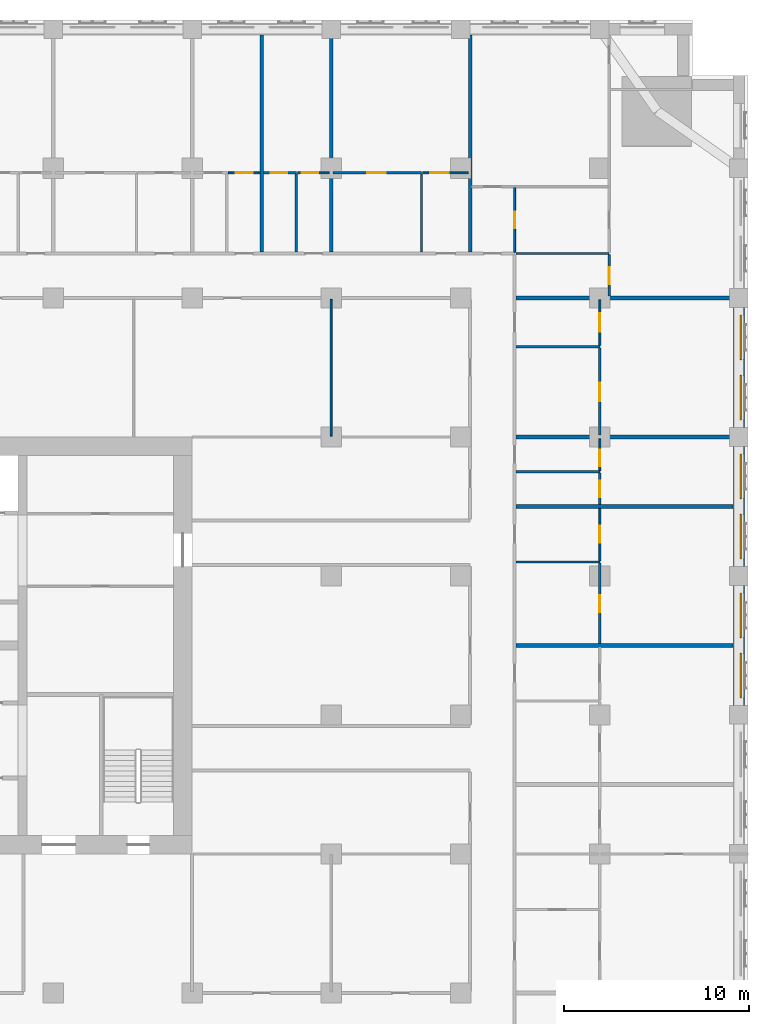
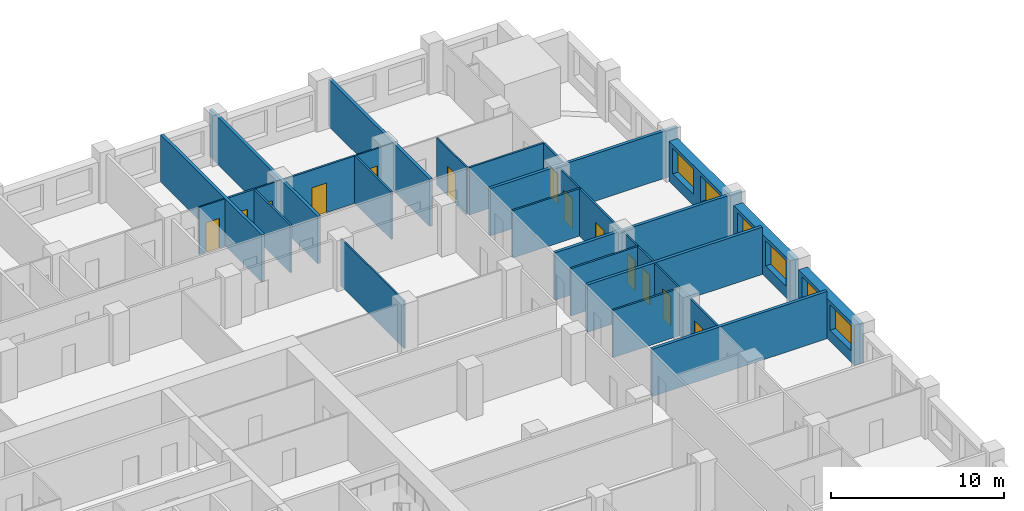
# One storey, part 10 of 14: 30 walls, 13 doors, 6 windows, 19 openings.
"""IFC4 building model written with IfcOpenShell, lengths in metres."""

from ifc_helpers import new_model, si_unit, direction, frame, frame_2d, origin, place, context, subcontext, project, spatial, rectangle, extrude, material, layer, layer_set, type_object, element, fill, save


model = new_model("IFC4")

# Units and contexts
model_context = context("Model", 3, precision=1e-05, world=origin(), true_north=direction((0.0, 1.0)))
body_context = subcontext(model_context, "Body", "Model", "MODEL_VIEW")
ifc_project = project(units=[si_unit("LENGTHUNIT", "METRE"), si_unit("AREAUNIT", "SQUARE_METRE"), si_unit("VOLUMEUNIT", "CUBIC_METRE"), si_unit("PLANEANGLEUNIT", "RADIAN"), si_unit("MASSUNIT", "GRAM", prefix="KILO")], contexts=[model_context])

# Site, building, storey
site_placement = place(None, origin())
site = spatial("IfcSite", under=ifc_project, at=site_placement, CompositionType="ELEMENT")
building_placement = place(site_placement, origin())
building = spatial("IfcBuilding", under=site, at=building_placement, Name="Tamorin Gate", CompositionType="ELEMENT")
storey_placement = place(building_placement, frame((0.0, 0.0, 79.10009765625)))
storey = spatial("IfcBuildingStorey", under=building, at=storey_placement, Name="L18", CompositionType="ELEMENT", Elevation=79.10009765625)

# Wall, openings, windows
ifc_material_1 = material(Name="Precast concrete C40/50", Category="concrete")
ifc_layer_1 = layer(ifc_material_1, 0.60009765625)
ifc_layer_set_1 = layer_set([ifc_layer_1], Name="Precast concrete C40/50")
wall_type_1 = type_object("IfcWallType", Name="Board-marked concrete facade panel 600", PredefinedType="SOLIDWALL", material=ifc_layer_set_1)
wall_1_placement = place(storey_placement, frame((89.5, 68.0, 0.0), z_axis=(0.0, 0.0, 1.0), x_axis=(0.0, 1.0, 0.0)))
wall_1 = element("IfcWall", 1, at=wall_1_placement, inside=storey, type_object=wall_type_1, Name="Facade panel", PredefinedType="SOLIDWALL", context=body_context, shape_type="SweptSolid", body=[
    extrude(rectangle(XDim=6.5, YDim=0.60009765625, at=frame_2d((3.25, 0.0))), origin(), (0.0, 0.0, 1.0), 2.849853515625),
])
opening_1_placement = place(wall_1_placement, frame((0.425048828125, 0.0, 0.800048828125)))
opening_1 = element("IfcOpeningElement", 2, at=opening_1_placement, cuts=wall_1, Name="Opening WN1", PredefinedType="OPENING", context=body_context, shape_type="SweptSolid", body=[
    extrude(rectangle(XDim=2.39990234375, YDim=1.800048828125, at=frame_2d((1.199951171875, 0.89990234375))), frame((0.0, 0.31005859375, 0.0), z_axis=(0.0, -1.0, 0.0), x_axis=(1.0, 0.0, 0.0)), (0.0, 0.0, 1.0), 0.6201171875),
])
opening_2_placement = place(wall_1_placement, frame((3.675048828125, 0.0, 0.800048828125)))
opening_2 = element("IfcOpeningElement", 3, at=opening_2_placement, cuts=wall_1, Name="Opening WN1", PredefinedType="OPENING", context=body_context, shape_type="SweptSolid", body=[
    extrude(rectangle(XDim=2.39990234375, YDim=1.800048828125, at=frame_2d((1.199951171875, 0.89990234375))), frame((0.0, 0.31005859375, 0.0), z_axis=(0.0, -1.0, 0.0), x_axis=(1.0, 0.0, 0.0)), (0.0, 0.0, 1.0), 0.6201171875),
])
ifc_material_2 = material(Name="Clear glass in aluminium frame", Category="aluminium")
window_type = type_object("IfcWindowType", Name="Deep-set window 2400x1800", PartitioningType="SINGLE_PANEL", PredefinedType="WINDOW", material=ifc_material_2)
window_1_placement = place(opening_1_placement, origin())
window_1 = element("IfcWindow", 4, at=window_1_placement, inside=storey, type_object=window_type, Name="Deep-set window", OverallHeight=1.800048828125, OverallWidth=2.39990234375, PartitioningType="SINGLE_PANEL", PredefinedType="WINDOW", context=body_context, shape_type="SweptSolid", body=[
    extrude(rectangle(XDim=2.39990234375, YDim=1.800048828125, at=frame_2d((1.199951171875, 0.89990234375))), frame((0.0, -0.070068359375, 0.0), z_axis=(0.0, -1.0, 0.0), x_axis=(1.0, 0.0, 0.0)), (0.0, 0.0, 1.0), 0.06005859375),
])
fill(opening_1, window_1)
window_2_placement = place(opening_2_placement, origin())
window_2 = element("IfcWindow", 5, at=window_2_placement, inside=storey, type_object=window_type, Name="Deep-set window", OverallHeight=1.800048828125, OverallWidth=2.39990234375, PartitioningType="SINGLE_PANEL", PredefinedType="WINDOW", context=body_context, shape_type="SweptSolid", body=[
    extrude(rectangle(XDim=2.39990234375, YDim=1.800048828125, at=frame_2d((1.199951171875, 0.89990234375))), frame((0.0, -0.070068359375, 0.0), z_axis=(0.0, -1.0, 0.0), x_axis=(1.0, 0.0, 0.0)), (0.0, 0.0, 1.0), 0.06005859375),
])
fill(opening_2, window_2)

wall_2_placement = place(storey_placement, frame((89.5, 75.5, 0.0), z_axis=(0.0, 0.0, 1.0), x_axis=(0.0, 1.0, 0.0)))
wall_2 = element("IfcWall", 6, at=wall_2_placement, inside=storey, type_object=wall_type_1, Name="Facade panel", PredefinedType="SOLIDWALL", context=body_context, shape_type="SweptSolid", body=[
    extrude(rectangle(XDim=6.5, YDim=0.60009765625, at=frame_2d((3.25, 0.0))), origin(), (0.0, 0.0, 1.0), 2.849853515625),
])
opening_3_placement = place(wall_2_placement, frame((0.425048828125, 0.0, 0.800048828125)))
opening_3 = element("IfcOpeningElement", 7, at=opening_3_placement, cuts=wall_2, Name="Opening WN1", PredefinedType="OPENING", context=body_context, shape_type="SweptSolid", body=[
    extrude(rectangle(XDim=2.39990234375, YDim=1.800048828125, at=frame_2d((1.199951171875, 0.89990234375))), frame((0.0, 0.31005859375, 0.0), z_axis=(0.0, -1.0, 0.0), x_axis=(1.0, 0.0, 0.0)), (0.0, 0.0, 1.0), 0.6201171875),
])
opening_4_placement = place(wall_2_placement, frame((3.675048828125, 0.0, 0.800048828125)))
opening_4 = element("IfcOpeningElement", 8, at=opening_4_placement, cuts=wall_2, Name="Opening WN1", PredefinedType="OPENING", context=body_context, shape_type="SweptSolid", body=[
    extrude(rectangle(XDim=2.39990234375, YDim=1.800048828125, at=frame_2d((1.199951171875, 0.89990234375))), frame((0.0, 0.31005859375, 0.0), z_axis=(0.0, -1.0, 0.0), x_axis=(1.0, 0.0, 0.0)), (0.0, 0.0, 1.0), 0.6201171875),
])
window_3_placement = place(opening_3_placement, origin())
window_3 = element("IfcWindow", 9, at=window_3_placement, inside=storey, type_object=window_type, Name="Deep-set window", OverallHeight=1.800048828125, OverallWidth=2.39990234375, PartitioningType="SINGLE_PANEL", PredefinedType="WINDOW", context=body_context, shape_type="SweptSolid", body=[
    extrude(rectangle(XDim=2.39990234375, YDim=1.800048828125, at=frame_2d((1.199951171875, 0.89990234375))), frame((0.0, -0.070068359375, 0.0), z_axis=(0.0, -1.0, 0.0), x_axis=(1.0, 0.0, 0.0)), (0.0, 0.0, 1.0), 0.06005859375),
])
fill(opening_3, window_3)
window_4_placement = place(opening_4_placement, origin())
window_4 = element("IfcWindow", 10, at=window_4_placement, inside=storey, type_object=window_type, Name="Deep-set window", OverallHeight=1.800048828125, OverallWidth=2.39990234375, PartitioningType="SINGLE_PANEL", PredefinedType="WINDOW", context=body_context, shape_type="SweptSolid", body=[
    extrude(rectangle(XDim=2.39990234375, YDim=1.800048828125, at=frame_2d((1.199951171875, 0.89990234375))), frame((0.0, -0.070068359375, 0.0), z_axis=(0.0, -1.0, 0.0), x_axis=(1.0, 0.0, 0.0)), (0.0, 0.0, 1.0), 0.06005859375),
])
fill(opening_4, window_4)

wall_3_placement = place(storey_placement, frame((89.5, 83.0, 0.0), z_axis=(0.0, 0.0, 1.0), x_axis=(0.0, 1.0, 0.0)))
wall_3 = element("IfcWall", 11, at=wall_3_placement, inside=storey, type_object=wall_type_1, Name="Facade panel", PredefinedType="SOLIDWALL", context=body_context, shape_type="SweptSolid", body=[
    extrude(rectangle(XDim=6.5, YDim=0.60009765625, at=frame_2d((3.25, 0.0))), origin(), (0.0, 0.0, 1.0), 2.849853515625),
])
opening_5_placement = place(wall_3_placement, frame((0.425048828125, 0.0, 0.800048828125)))
opening_5 = element("IfcOpeningElement", 12, at=opening_5_placement, cuts=wall_3, Name="Opening WN1", PredefinedType="OPENING", context=body_context, shape_type="SweptSolid", body=[
    extrude(rectangle(XDim=2.39990234375, YDim=1.800048828125, at=frame_2d((1.199951171875, 0.89990234375))), frame((0.0, 0.31005859375, 0.0), z_axis=(0.0, -1.0, 0.0), x_axis=(1.0, 0.0, 0.0)), (0.0, 0.0, 1.0), 0.6201171875),
])
opening_6_placement = place(wall_3_placement, frame((3.675048828125, 0.0, 0.800048828125)))
opening_6 = element("IfcOpeningElement", 13, at=opening_6_placement, cuts=wall_3, Name="Opening WN1", PredefinedType="OPENING", context=body_context, shape_type="SweptSolid", body=[
    extrude(rectangle(XDim=2.39990234375, YDim=1.800048828125, at=frame_2d((1.199951171875, 0.89990234375))), frame((0.0, 0.31005859375, 0.0), z_axis=(0.0, -1.0, 0.0), x_axis=(1.0, 0.0, 0.0)), (0.0, 0.0, 1.0), 0.6201171875),
])
window_5_placement = place(opening_5_placement, origin())
window_5 = element("IfcWindow", 14, at=window_5_placement, inside=storey, type_object=window_type, Name="Deep-set window", OverallHeight=1.800048828125, OverallWidth=2.39990234375, PartitioningType="SINGLE_PANEL", PredefinedType="WINDOW", context=body_context, shape_type="SweptSolid", body=[
    extrude(rectangle(XDim=2.39990234375, YDim=1.800048828125, at=frame_2d((1.199951171875, 0.89990234375))), frame((0.0, -0.070068359375, 0.0), z_axis=(0.0, -1.0, 0.0), x_axis=(1.0, 0.0, 0.0)), (0.0, 0.0, 1.0), 0.06005859375),
])
fill(opening_5, window_5)
window_6_placement = place(opening_6_placement, origin())
window_6 = element("IfcWindow", 15, at=window_6_placement, inside=storey, type_object=window_type, Name="Deep-set window", OverallHeight=1.800048828125, OverallWidth=2.39990234375, PartitioningType="SINGLE_PANEL", PredefinedType="WINDOW", context=body_context, shape_type="SweptSolid", body=[
    extrude(rectangle(XDim=2.39990234375, YDim=1.800048828125, at=frame_2d((1.199951171875, 0.89990234375))), frame((0.0, -0.070068359375, 0.0), z_axis=(0.0, -1.0, 0.0), x_axis=(1.0, 0.0, 0.0)), (0.0, 0.0, 1.0), 0.06005859375),
])
fill(opening_6, window_6)

# Walls
ifc_material_3 = material(Name="Gypsum board partition")
ifc_layer_2 = layer(ifc_material_3, 0.199951171875)
ifc_layer_set_2 = layer_set([ifc_layer_2], Name="Demising wall 200")
wall_type_2 = type_object("IfcWallType", Name="Demising wall 200", PredefinedType="PARTITIONING", material=ifc_layer_set_2)
for number, where, z_axis, x_axis, name in (
    (16, (77.47509765625, 71.25, 0.0), (0.0, 0.0, 1.0), (1.0, 0.0, 0.0), "Demising wall 200"),
    (17, (77.47509765625, 78.75, 0.0), (0.0, 0.0, 1.0), (1.0, 0.0, 0.0), "Demising wall 200"),
):
    element("IfcWall", number, at=place(storey_placement, frame(where, z_axis=z_axis, x_axis=x_axis)), inside=storey, type_object=wall_type_2, Name=name, PredefinedType="PARTITIONING", context=body_context, shape_type="SweptSolid", body=[
        extrude(rectangle(XDim=11.71484375, YDim=0.199951171875, at=frame_2d((5.857421875, 0.0))), origin(), (0.0, 0.0, 1.0), 3.349853515625),
    ])
for number, where, z_axis, x_axis, name in (
    (18, (77.47509765625, 82.5, 0.0), (0.0, 0.0, 1.0), (1.0, 0.0, 0.0), "Demising wall 200"),
    (19, (77.47509765625, 90.0, 0.0), (0.0, 0.0, 1.0), (1.0, 0.0, 0.0), "Demising wall 200"),
):
    element("IfcWall", number, at=place(storey_placement, frame(where, z_axis=z_axis, x_axis=x_axis)), inside=storey, type_object=wall_type_2, Name=name, PredefinedType="PARTITIONING", context=body_context, shape_type="SweptSolid", body=[
        extrude(rectangle(XDim=12.52490234375, YDim=0.199951171875, at=frame_2d((6.262451171875, 0.0))), origin(), (0.0, 0.0, 1.0), 3.349853515625),
    ])
wall_4_placement = place(storey_placement, frame((63.75, 92.47509765625, 0.0), z_axis=(0.0, 0.0, 1.0), x_axis=(0.0, 1.0, 0.0)))
element("IfcWall", 20, at=wall_4_placement, inside=storey, type_object=wall_type_2, Name="Demising wall 200", PredefinedType="PARTITIONING", context=body_context, shape_type="SweptSolid", body=[
    extrude(rectangle(XDim=11.71484375, YDim=0.199951171875, at=frame_2d((5.857421875, 0.0))), origin(), (0.0, 0.0, 1.0), 3.349853515625),
])
wall_5_placement = place(storey_placement, frame((67.5, 92.47509765625, 0.0), z_axis=(0.0, 0.0, 1.0), x_axis=(0.0, 1.0, 0.0)))
element("IfcWall", 21, at=wall_5_placement, inside=storey, type_object=wall_type_2, Name="Demising wall 200", PredefinedType="PARTITIONING", context=body_context, shape_type="SweptSolid", body=[
    extrude(rectangle(XDim=12.52490234375, YDim=0.199951171875, at=frame_2d((6.262451171875, 0.0))), origin(), (0.0, 0.0, 1.0), 3.349853515625),
])
wall_6_placement = place(storey_placement, frame((75.0, 92.47509765625, 0.0), z_axis=(0.0, 0.0, 1.0), x_axis=(0.0, 1.0, 0.0)))
element("IfcWall", 22, at=wall_6_placement, inside=storey, type_object=wall_type_2, Name="Demising wall 200", PredefinedType="PARTITIONING", context=body_context, shape_type="SweptSolid", body=[
    extrude(rectangle(XDim=11.71484375, YDim=0.199951171875, at=frame_2d((5.857421875, 0.0))), origin(), (0.0, 0.0, 1.0), 3.349853515625),
])

# Wall, opening, door
ifc_layer_3 = layer(ifc_material_3, 0.10009765625)
ifc_layer_set_3 = layer_set([ifc_layer_3], Name="Room partition 100")
wall_type_3 = type_object("IfcWallType", Name="Room partition 100", PredefinedType="PARTITIONING", material=ifc_layer_set_3)
wall_7_placement = place(storey_placement, frame((61.9375, 96.75, 0.0), z_axis=(0.0, 0.0, 1.0), x_axis=(1.0, 0.0, 0.0)))
wall_7 = element("IfcWall", 23, at=wall_7_placement, inside=storey, type_object=wall_type_3, Name="Room partition 100", PredefinedType="PARTITIONING", context=body_context, shape_type="SweptSolid", body=[
    extrude(rectangle(XDim=1.71240234375, YDim=0.10009765625, at=frame_2d((0.856201171875, 0.0))), origin(), (0.0, 0.0, 1.0), 3.349853515625),
])
opening_7_placement = place(wall_7_placement, frame((0.425048828125, 0.0, 0.0)))
opening_7 = element("IfcOpeningElement", 24, at=opening_7_placement, cuts=wall_7, Name="Opening DH5036", PredefinedType="OPENING", context=body_context, shape_type="SweptSolid", body=[
    extrude(rectangle(XDim=0.89990234375, YDim=2.10009765625, at=frame_2d((0.449951171875, 1.050048828125))), frame((0.0, 0.06005859375, 0.0), z_axis=(0.0, -1.0, 0.0), x_axis=(1.0, 0.0, 0.0)), (0.0, 0.0, 1.0), 0.1201171875),
])
ifc_material_4 = material(Name="Timber door leaf", Category="wood")
door_type_1 = type_object("IfcDoorType", Name="Door 900 x 2100", OperationType="NOTDEFINED", PredefinedType="DOOR", material=ifc_material_4)
door_1_placement = place(opening_7_placement, origin())
door_1 = element("IfcDoor", 25, at=door_1_placement, inside=storey, type_object=door_type_1, Name="Door DH5036", OperationType="SINGLE_SWING_RIGHT", OverallHeight=2.10009765625, OverallWidth=0.89990234375, PredefinedType="DOOR", context=body_context, shape_type="SweptSolid", body=[
    extrude(rectangle(XDim=0.89990234375, YDim=2.10009765625, at=frame_2d((0.449951171875, 1.050048828125))), frame((0.0, 0.02490234375, 0.0), z_axis=(0.0, -1.0, 0.0), x_axis=(1.0, 0.0, 0.0)), (0.0, 0.0, 1.0), 0.050048828125),
])
fill(opening_7, door_1)

wall_8_placement = place(storey_placement, frame((65.6875, 96.75, 0.0), z_axis=(0.0, 0.0, 1.0), x_axis=(1.0, 0.0, 0.0)))
wall_8 = element("IfcWall", 26, at=wall_8_placement, inside=storey, type_object=wall_type_3, Name="Room partition 100", PredefinedType="PARTITIONING", context=body_context, shape_type="SweptSolid", body=[
    extrude(rectangle(XDim=1.71240234375, YDim=0.10009765625, at=frame_2d((0.856201171875, 0.0))), origin(), (0.0, 0.0, 1.0), 3.349853515625),
])
opening_8_placement = place(wall_8_placement, frame((0.22509765625, 0.0, 0.0)))
opening_8 = element("IfcOpeningElement", 27, at=opening_8_placement, cuts=wall_8, Name="Opening DH5039", PredefinedType="OPENING", context=body_context, shape_type="SweptSolid", body=[
    extrude(rectangle(XDim=0.89990234375, YDim=2.10009765625, at=frame_2d((0.449951171875, 1.050048828125))), frame((0.0, 0.06005859375, 0.0), z_axis=(0.0, -1.0, 0.0), x_axis=(1.0, 0.0, 0.0)), (0.0, 0.0, 1.0), 0.1201171875),
])
door_2_placement = place(opening_8_placement, origin())
door_2 = element("IfcDoor", 28, at=door_2_placement, inside=storey, type_object=door_type_1, Name="Door DH5039", OperationType="SINGLE_SWING_RIGHT", OverallHeight=2.10009765625, OverallWidth=0.89990234375, PredefinedType="DOOR", context=body_context, shape_type="SweptSolid", body=[
    extrude(rectangle(XDim=0.89990234375, YDim=2.10009765625, at=frame_2d((0.449951171875, 1.050048828125))), frame((0.0, 0.02490234375, 0.0), z_axis=(0.0, -1.0, 0.0), x_axis=(1.0, 0.0, 0.0)), (0.0, 0.0, 1.0), 0.050048828125),
])
fill(opening_8, door_2)

wall_9_placement = place(storey_placement, frame((72.4375, 96.75, 0.0), z_axis=(0.0, 0.0, 1.0), x_axis=(1.0, 0.0, 0.0)))
wall_9 = element("IfcWall", 29, at=wall_9_placement, inside=storey, type_object=wall_type_3, Name="Room partition 100", PredefinedType="PARTITIONING", context=body_context, shape_type="SweptSolid", body=[
    extrude(rectangle(XDim=2.46240234375, YDim=0.10009765625, at=frame_2d((1.231201171875, 0.0))), origin(), (0.0, 0.0, 1.0), 3.349853515625),
])
opening_9_placement = place(wall_9_placement, frame((0.39990234375, 0.0, 0.0)))
opening_9 = element("IfcOpeningElement", 30, at=opening_9_placement, cuts=wall_9, Name="Opening DH5042", PredefinedType="OPENING", context=body_context, shape_type="SweptSolid", body=[
    extrude(rectangle(XDim=1.0, YDim=2.10009765625, at=frame_2d((0.5, 1.050048828125))), frame((0.0, 0.06005859375, 0.0), z_axis=(0.0, -1.0, 0.0), x_axis=(1.0, 0.0, 0.0)), (0.0, 0.0, 1.0), 0.1201171875),
])
door_type_2 = type_object("IfcDoorType", Name="Door 1000 x 2100", OperationType="NOTDEFINED", PredefinedType="DOOR", material=ifc_material_4)
door_3_placement = place(opening_9_placement, origin())
door_3 = element("IfcDoor", 31, at=door_3_placement, inside=storey, type_object=door_type_2, Name="Door DH5042", OperationType="SINGLE_SWING_RIGHT", OverallHeight=2.10009765625, OverallWidth=1.0, PredefinedType="DOOR", context=body_context, shape_type="SweptSolid", body=[
    extrude(rectangle(XDim=1.0, YDim=2.10009765625, at=frame_2d((0.5, 1.050048828125))), frame((0.0, 0.02490234375, 0.0), z_axis=(0.0, -1.0, 0.0), x_axis=(1.0, 0.0, 0.0)), (0.0, 0.0, 1.0), 0.050048828125),
])
fill(opening_9, door_3)

# Wall
wall_10_placement = place(storey_placement, frame((67.5, 82.550048828125, 0.0), z_axis=(0.0, 0.0, 1.0), x_axis=(0.0, 1.0, 0.0)))
element("IfcWall", 32, at=wall_10_placement, inside=storey, type_object=wall_type_3, Name="Room partition 100", PredefinedType="PARTITIONING", context=body_context, shape_type="SweptSolid", body=[
    extrude(rectangle(XDim=7.375, YDim=0.10009765625, at=frame_2d((3.6875, 0.0))), origin(), (0.0, 0.0, 1.0), 3.349853515625),
])

# Wall, opening, door
wall_11_placement = place(storey_placement, frame((77.39990234375, 92.47509765625, 0.0), z_axis=(0.0, 0.0, 1.0), x_axis=(0.0, 1.0, 0.0)))
wall_11 = element("IfcWall", 33, at=wall_11_placement, inside=storey, type_object=wall_type_3, Name="Room partition 100", PredefinedType="PARTITIONING", context=body_context, shape_type="SweptSolid", body=[
    extrude(rectangle(XDim=3.474853515625, YDim=0.10009765625, at=frame_2d((1.7373046875, 0.0))), origin(), (0.0, 0.0, 1.0), 3.349853515625),
])
opening_10_placement = place(wall_11_placement, frame((1.27490234375, 0.0, 0.0)))
opening_10 = element("IfcOpeningElement", 34, at=opening_10_placement, cuts=wall_11, Name="Opening DH5068", PredefinedType="OPENING", context=body_context, shape_type="SweptSolid", body=[
    extrude(rectangle(XDim=0.89990234375, YDim=2.10009765625, at=frame_2d((0.449951171875, 1.050048828125))), frame((0.0, 0.06005859375, 0.0), z_axis=(0.0, -1.0, 0.0), x_axis=(1.0, 0.0, 0.0)), (0.0, 0.0, 1.0), 0.1201171875),
])
door_4_placement = place(opening_10_placement, origin())
door_4 = element("IfcDoor", 35, at=door_4_placement, inside=storey, type_object=door_type_1, Name="Door DH5068", OperationType="SINGLE_SWING_RIGHT", OverallHeight=2.10009765625, OverallWidth=0.89990234375, PredefinedType="DOOR", context=body_context, shape_type="SweptSolid", body=[
    extrude(rectangle(XDim=0.89990234375, YDim=2.10009765625, at=frame_2d((0.449951171875, 1.050048828125))), frame((0.0, 0.02490234375, 0.0), z_axis=(0.0, -1.0, 0.0), x_axis=(1.0, 0.0, 0.0)), (0.0, 0.0, 1.0), 0.050048828125),
])
fill(opening_10, door_4)

wall_12_placement = place(storey_placement, frame((82.0, 75.8125, 0.0), z_axis=(0.0, 0.0, 1.0), x_axis=(0.0, 1.0, 0.0)))
wall_12 = element("IfcWall", 36, at=wall_12_placement, inside=storey, type_object=wall_type_3, Name="Room partition 100", PredefinedType="PARTITIONING", context=body_context, shape_type="SweptSolid", body=[
    extrude(rectangle(XDim=2.83740234375, YDim=0.10009765625, at=frame_2d((1.418701171875, 0.0))), origin(), (0.0, 0.0, 1.0), 3.349853515625),
])
opening_11_placement = place(wall_12_placement, frame((0.987548828125, 0.0, 0.0)))
opening_11 = element("IfcOpeningElement", 37, at=opening_11_placement, cuts=wall_12, Name="Opening DH5053", PredefinedType="OPENING", context=body_context, shape_type="SweptSolid", body=[
    extrude(rectangle(XDim=0.89990234375, YDim=2.10009765625, at=frame_2d((0.449951171875, 1.050048828125))), frame((0.0, 0.06005859375, 0.0), z_axis=(0.0, -1.0, 0.0), x_axis=(1.0, 0.0, 0.0)), (0.0, 0.0, 1.0), 0.1201171875),
])
door_5_placement = place(opening_11_placement, origin())
door_5 = element("IfcDoor", 38, at=door_5_placement, inside=storey, type_object=door_type_1, Name="Door DH5053", OperationType="SINGLE_SWING_LEFT", OverallHeight=2.10009765625, OverallWidth=0.89990234375, PredefinedType="DOOR", context=body_context, shape_type="SweptSolid", body=[
    extrude(rectangle(XDim=0.89990234375, YDim=2.10009765625, at=frame_2d((0.449951171875, 1.050048828125))), frame((0.0, 0.02490234375, 0.0), z_axis=(0.0, -1.0, 0.0), x_axis=(1.0, 0.0, 0.0)), (0.0, 0.0, 1.0), 0.050048828125),
])
fill(opening_11, door_5)

wall_13_placement = place(storey_placement, frame((82.0, 80.6875, 0.0), z_axis=(0.0, 0.0, 1.0), x_axis=(0.0, 1.0, 0.0)))
wall_13 = element("IfcWall", 39, at=wall_13_placement, inside=storey, type_object=wall_type_3, Name="Room partition 100", PredefinedType="PARTITIONING", context=body_context, shape_type="SweptSolid", body=[
    extrude(rectangle(XDim=1.71240234375, YDim=0.10009765625, at=frame_2d((0.856201171875, 0.0))), origin(), (0.0, 0.0, 1.0), 3.349853515625),
])
opening_12_placement = place(wall_13_placement, frame((0.22509765625, 0.0, 0.0)))
opening_12 = element("IfcOpeningElement", 40, at=opening_12_placement, cuts=wall_13, Name="Opening DH5056", PredefinedType="OPENING", context=body_context, shape_type="SweptSolid", body=[
    extrude(rectangle(XDim=0.89990234375, YDim=2.10009765625, at=frame_2d((0.449951171875, 1.050048828125))), frame((0.0, 0.06005859375, 0.0), z_axis=(0.0, -1.0, 0.0), x_axis=(1.0, 0.0, 0.0)), (0.0, 0.0, 1.0), 0.1201171875),
])
door_6_placement = place(opening_12_placement, origin())
door_6 = element("IfcDoor", 41, at=door_6_placement, inside=storey, type_object=door_type_1, Name="Door DH5056", OperationType="SINGLE_SWING_LEFT", OverallHeight=2.10009765625, OverallWidth=0.89990234375, PredefinedType="DOOR", context=body_context, shape_type="SweptSolid", body=[
    extrude(rectangle(XDim=0.89990234375, YDim=2.10009765625, at=frame_2d((0.449951171875, 1.050048828125))), frame((0.0, 0.02490234375, 0.0), z_axis=(0.0, -1.0, 0.0), x_axis=(1.0, 0.0, 0.0)), (0.0, 0.0, 1.0), 0.050048828125),
])
fill(opening_12, door_6)

wall_14_placement = place(storey_placement, frame((82.0, 87.4375, 0.0), z_axis=(0.0, 0.0, 1.0), x_axis=(0.0, 1.0, 0.0)))
wall_14 = element("IfcWall", 42, at=wall_14_placement, inside=storey, type_object=wall_type_3, Name="Room partition 100", PredefinedType="PARTITIONING", context=body_context, shape_type="SweptSolid", body=[
    extrude(rectangle(XDim=2.46240234375, YDim=0.10009765625, at=frame_2d((1.231201171875, 0.0))), origin(), (0.0, 0.0, 1.0), 3.349853515625),
])
opening_13_placement = place(wall_14_placement, frame((0.75, 0.0, 0.0)))
opening_13 = element("IfcOpeningElement", 43, at=opening_13_placement, cuts=wall_14, Name="Opening DH5059", PredefinedType="OPENING", context=body_context, shape_type="SweptSolid", body=[
    extrude(rectangle(XDim=1.0, YDim=2.10009765625, at=frame_2d((0.5, 1.050048828125))), frame((0.0, 0.06005859375, 0.0), z_axis=(0.0, -1.0, 0.0), x_axis=(1.0, 0.0, 0.0)), (0.0, 0.0, 1.0), 0.1201171875),
])
door_7_placement = place(opening_13_placement, origin())
door_7 = element("IfcDoor", 44, at=door_7_placement, inside=storey, type_object=door_type_2, Name="Door DH5059", OperationType="SINGLE_SWING_LEFT", OverallHeight=2.10009765625, OverallWidth=1.0, PredefinedType="DOOR", context=body_context, shape_type="SweptSolid", body=[
    extrude(rectangle(XDim=1.0, YDim=2.10009765625, at=frame_2d((0.5, 1.050048828125))), frame((0.0, 0.02490234375, 0.0), z_axis=(0.0, -1.0, 0.0), x_axis=(1.0, 0.0, 0.0)), (0.0, 0.0, 1.0), 0.050048828125),
])
fill(opening_13, door_7)

# Walls
ifc_layer_4 = layer(ifc_material_3, 0.125)
ifc_layer_set_4 = layer_set([ifc_layer_4], Name="Wet wall 125")
wall_type_4 = type_object("IfcWallType", Name="Wet wall 125", PredefinedType="PARTITIONING", material=ifc_layer_set_4)
for number, where, z_axis, x_axis, name in (
    (45, (77.47509765625, 75.75, 0.0), (0.0, 0.0, 1.0), (1.0, 0.0, 0.0), "Wet wall 125"),
    (46, (77.47509765625, 80.625, 0.0), (0.0, 0.0, 1.0), (1.0, 0.0, 0.0), "Wet wall 125"),
    (47, (77.47509765625, 87.375, 0.0), (0.0, 0.0, 1.0), (1.0, 0.0, 0.0), "Wet wall 125"),
):
    element("IfcWall", number, at=place(storey_placement, frame(where, z_axis=z_axis, x_axis=x_axis)), inside=storey, type_object=wall_type_4, Name=name, PredefinedType="PARTITIONING", context=body_context, shape_type="SweptSolid", body=[
        extrude(rectangle(XDim=4.52490234375, YDim=0.125, at=frame_2d((2.262451171875, 0.0))), origin(), (0.0, 0.0, 1.0), 3.349853515625),
    ])
wall_15_placement = place(storey_placement, frame((77.47509765625, 92.39990234375, 0.0), z_axis=(0.0, 0.0, 1.0), x_axis=(1.0, 0.0, 0.0)))
element("IfcWall", 48, at=wall_15_placement, inside=storey, type_object=wall_type_4, Name="Wet wall 125", PredefinedType="PARTITIONING", context=body_context, shape_type="SweptSolid", body=[
    extrude(rectangle(XDim=5.02490234375, YDim=0.125, at=frame_2d((2.512451171875, 0.0))), origin(), (0.0, 0.0, 1.0), 3.349853515625),
])

# Wall, opening, door
wall_16_placement = place(storey_placement, frame((63.85009765625, 96.75, 0.0), z_axis=(0.0, 0.0, 1.0), x_axis=(1.0, 0.0, 0.0)))
wall_16 = element("IfcWall", 49, at=wall_16_placement, inside=storey, type_object=wall_type_4, Name="Wet wall 125", PredefinedType="PARTITIONING", context=body_context, shape_type="SweptSolid", body=[
    extrude(rectangle(XDim=1.77490234375, YDim=0.125, at=frame_2d((0.887451171875, 0.0))), origin(), (0.0, 0.0, 1.0), 3.349853515625),
])
opening_14_placement = place(wall_16_placement, frame((0.387451171875, 0.0, 0.0)))
opening_14 = element("IfcOpeningElement", 50, at=opening_14_placement, cuts=wall_16, Name="Opening DH5037", PredefinedType="OPENING", context=body_context, shape_type="SweptSolid", body=[
    extrude(rectangle(XDim=0.89990234375, YDim=2.10009765625, at=frame_2d((0.449951171875, 1.050048828125))), frame((0.0, 0.072509765625, 0.0), z_axis=(0.0, -1.0, 0.0), x_axis=(1.0, 0.0, 0.0)), (0.0, 0.0, 1.0), 0.14501953125),
])
door_8_placement = place(opening_14_placement, origin())
door_8 = element("IfcDoor", 51, at=door_8_placement, inside=storey, type_object=door_type_1, Name="Door DH5037", OperationType="SINGLE_SWING_RIGHT", OverallHeight=2.10009765625, OverallWidth=0.89990234375, PredefinedType="DOOR", context=body_context, shape_type="SweptSolid", body=[
    extrude(rectangle(XDim=0.89990234375, YDim=2.10009765625, at=frame_2d((0.449951171875, 1.050048828125))), frame((0.0, 0.02490234375, 0.0), z_axis=(0.0, -1.0, 0.0), x_axis=(1.0, 0.0, 0.0)), (0.0, 0.0, 1.0), 0.050048828125),
])
fill(opening_14, door_8)

wall_17_placement = place(storey_placement, frame((67.60009765625, 96.75, 0.0), z_axis=(0.0, 0.0, 1.0), x_axis=(1.0, 0.0, 0.0)))
wall_17 = element("IfcWall", 52, at=wall_17_placement, inside=storey, type_object=wall_type_4, Name="Wet wall 125", PredefinedType="PARTITIONING", context=body_context, shape_type="SweptSolid", body=[
    extrude(rectangle(XDim=4.77490234375, YDim=0.125, at=frame_2d((2.387451171875, 0.0))), origin(), (0.0, 0.0, 1.0), 3.349853515625),
])
opening_15_placement = place(wall_17_placement, frame((1.83740234375, 0.0, 0.0)))
opening_15 = element("IfcOpeningElement", 53, at=opening_15_placement, cuts=wall_17, Name="Opening DH5040", PredefinedType="OPENING", context=body_context, shape_type="SweptSolid", body=[
    extrude(rectangle(XDim=1.0, YDim=2.10009765625, at=frame_2d((0.5, 1.050048828125))), frame((0.0, 0.072509765625, 0.0), z_axis=(0.0, -1.0, 0.0), x_axis=(1.0, 0.0, 0.0)), (0.0, 0.0, 1.0), 0.14501953125),
])
door_9_placement = place(opening_15_placement, origin())
door_9 = element("IfcDoor", 54, at=door_9_placement, inside=storey, type_object=door_type_2, Name="Door DH5040", OperationType="SINGLE_SWING_RIGHT", OverallHeight=2.10009765625, OverallWidth=1.0, PredefinedType="DOOR", context=body_context, shape_type="SweptSolid", body=[
    extrude(rectangle(XDim=1.0, YDim=2.10009765625, at=frame_2d((0.5, 1.050048828125))), frame((0.0, 0.02490234375, 0.0), z_axis=(0.0, -1.0, 0.0), x_axis=(1.0, 0.0, 0.0)), (0.0, 0.0, 1.0), 0.050048828125),
])
fill(opening_15, door_9)

# Walls
for number, where, z_axis, x_axis, name in (
    (55, (65.625, 92.47509765625, 0.0), (0.0, 0.0, 1.0), (0.0, 1.0, 0.0), "Wet wall 125"),
    (56, (72.375, 92.47509765625, 0.0), (0.0, 0.0, 1.0), (0.0, 1.0, 0.0), "Wet wall 125"),
):
    element("IfcWall", number, at=place(storey_placement, frame(where, z_axis=z_axis, x_axis=x_axis)), inside=storey, type_object=wall_type_4, Name=name, PredefinedType="PARTITIONING", context=body_context, shape_type="SweptSolid", body=[
        extrude(rectangle(XDim=4.21240234375, YDim=0.125, at=frame_2d((2.106201171875, 0.0))), origin(), (0.0, 0.0, 1.0), 3.349853515625),
    ])

# Wall, opening, door
wall_18_placement = place(storey_placement, frame((82.0, 71.35009765625, 0.0), z_axis=(0.0, 0.0, 1.0), x_axis=(0.0, 1.0, 0.0)))
wall_18 = element("IfcWall", 57, at=wall_18_placement, inside=storey, type_object=wall_type_4, Name="Wet wall 125", PredefinedType="PARTITIONING", context=body_context, shape_type="SweptSolid", body=[
    extrude(rectangle(XDim=4.33740234375, YDim=0.125, at=frame_2d((2.168701171875, 0.0))), origin(), (0.0, 0.0, 1.0), 3.349853515625),
])
opening_16_placement = place(wall_18_placement, frame((1.699951171875, 0.0, 0.0)))
opening_16 = element("IfcOpeningElement", 58, at=opening_16_placement, cuts=wall_18, Name="Opening DH5051", PredefinedType="OPENING", context=body_context, shape_type="SweptSolid", body=[
    extrude(rectangle(XDim=0.89990234375, YDim=2.10009765625, at=frame_2d((0.449951171875, 1.050048828125))), frame((0.0, 0.072509765625, 0.0), z_axis=(0.0, -1.0, 0.0), x_axis=(1.0, 0.0, 0.0)), (0.0, 0.0, 1.0), 0.14501953125),
])
door_10_placement = place(opening_16_placement, origin())
door_10 = element("IfcDoor", 59, at=door_10_placement, inside=storey, type_object=door_type_1, Name="Door DH5051", OperationType="SINGLE_SWING_LEFT", OverallHeight=2.10009765625, OverallWidth=0.89990234375, PredefinedType="DOOR", context=body_context, shape_type="SweptSolid", body=[
    extrude(rectangle(XDim=0.89990234375, YDim=2.10009765625, at=frame_2d((0.449951171875, 1.050048828125))), frame((0.0, 0.02490234375, 0.0), z_axis=(0.0, -1.0, 0.0), x_axis=(1.0, 0.0, 0.0)), (0.0, 0.0, 1.0), 0.050048828125),
])
fill(opening_16, door_10)

wall_19_placement = place(storey_placement, frame((82.0, 78.85009765625, 0.0), z_axis=(0.0, 0.0, 1.0), x_axis=(0.0, 1.0, 0.0)))
wall_19 = element("IfcWall", 60, at=wall_19_placement, inside=storey, type_object=wall_type_4, Name="Wet wall 125", PredefinedType="PARTITIONING", context=body_context, shape_type="SweptSolid", body=[
    extrude(rectangle(XDim=1.71240234375, YDim=0.125, at=frame_2d((0.856201171875, 0.0))), origin(), (0.0, 0.0, 1.0), 3.349853515625),
])
opening_17_placement = place(wall_19_placement, frame((0.387451171875, 0.0, 0.0)))
opening_17 = element("IfcOpeningElement", 61, at=opening_17_placement, cuts=wall_19, Name="Opening DH5054", PredefinedType="OPENING", context=body_context, shape_type="SweptSolid", body=[
    extrude(rectangle(XDim=0.89990234375, YDim=2.10009765625, at=frame_2d((0.449951171875, 1.050048828125))), frame((0.0, 0.072509765625, 0.0), z_axis=(0.0, -1.0, 0.0), x_axis=(1.0, 0.0, 0.0)), (0.0, 0.0, 1.0), 0.14501953125),
])
door_11_placement = place(opening_17_placement, origin())
door_11 = element("IfcDoor", 62, at=door_11_placement, inside=storey, type_object=door_type_1, Name="Door DH5054", OperationType="SINGLE_SWING_LEFT", OverallHeight=2.10009765625, OverallWidth=0.89990234375, PredefinedType="DOOR", context=body_context, shape_type="SweptSolid", body=[
    extrude(rectangle(XDim=0.89990234375, YDim=2.10009765625, at=frame_2d((0.449951171875, 1.050048828125))), frame((0.0, 0.02490234375, 0.0), z_axis=(0.0, -1.0, 0.0), x_axis=(1.0, 0.0, 0.0)), (0.0, 0.0, 1.0), 0.050048828125),
])
fill(opening_17, door_11)

wall_20_placement = place(storey_placement, frame((82.0, 82.60009765625, 0.0), z_axis=(0.0, 0.0, 1.0), x_axis=(0.0, 1.0, 0.0)))
wall_20 = element("IfcWall", 63, at=wall_20_placement, inside=storey, type_object=wall_type_4, Name="Wet wall 125", PredefinedType="PARTITIONING", context=body_context, shape_type="SweptSolid", body=[
    extrude(rectangle(XDim=4.71240234375, YDim=0.125, at=frame_2d((2.356201171875, 0.0))), origin(), (0.0, 0.0, 1.0), 3.349853515625),
])
opening_18_placement = place(wall_20_placement, frame((1.83740234375, 0.0, 0.0)))
opening_18 = element("IfcOpeningElement", 64, at=opening_18_placement, cuts=wall_20, Name="Opening DH5057", PredefinedType="OPENING", context=body_context, shape_type="SweptSolid", body=[
    extrude(rectangle(XDim=1.0, YDim=2.10009765625, at=frame_2d((0.5, 1.050048828125))), frame((0.0, 0.072509765625, 0.0), z_axis=(0.0, -1.0, 0.0), x_axis=(1.0, 0.0, 0.0)), (0.0, 0.0, 1.0), 0.14501953125),
])
door_12_placement = place(opening_18_placement, origin())
door_12 = element("IfcDoor", 65, at=door_12_placement, inside=storey, type_object=door_type_2, Name="Door DH5057", OperationType="SINGLE_SWING_LEFT", OverallHeight=2.10009765625, OverallWidth=1.0, PredefinedType="DOOR", context=body_context, shape_type="SweptSolid", body=[
    extrude(rectangle(XDim=1.0, YDim=2.10009765625, at=frame_2d((0.5, 1.050048828125))), frame((0.0, 0.02490234375, 0.0), z_axis=(0.0, -1.0, 0.0), x_axis=(1.0, 0.0, 0.0)), (0.0, 0.0, 1.0), 0.050048828125),
])
fill(opening_18, door_12)

wall_21_placement = place(storey_placement, frame((82.5, 90.10009765625, 0.0), z_axis=(0.0, 0.0, 1.0), x_axis=(0.0, 1.0, 0.0)))
wall_21 = element("IfcWall", 66, at=wall_21_placement, inside=storey, type_object=wall_type_4, Name="Wet wall 125", PredefinedType="PARTITIONING", context=body_context, shape_type="SweptSolid", body=[
    extrude(rectangle(XDim=2.2373046875, YDim=0.125, at=frame_2d((1.11865234375, 0.0))), origin(), (0.0, 0.0, 1.0), 3.349853515625),
])
opening_19_placement = place(wall_21_placement, frame((0.64990234375, 0.0, 0.0)))
opening_19 = element("IfcOpeningElement", 67, at=opening_19_placement, cuts=wall_21, Name="Opening DH5071", PredefinedType="OPENING", context=body_context, shape_type="SweptSolid", body=[
    extrude(rectangle(XDim=0.89990234375, YDim=2.10009765625, at=frame_2d((0.449951171875, 1.050048828125))), frame((0.0, 0.072509765625, 0.0), z_axis=(0.0, -1.0, 0.0), x_axis=(1.0, 0.0, 0.0)), (0.0, 0.0, 1.0), 0.14501953125),
])
door_13_placement = place(opening_19_placement, origin())
door_13 = element("IfcDoor", 68, at=door_13_placement, inside=storey, type_object=door_type_1, Name="Door DH5071", OperationType="SINGLE_SWING_LEFT", OverallHeight=2.10009765625, OverallWidth=0.89990234375, PredefinedType="DOOR", context=body_context, shape_type="SweptSolid", body=[
    extrude(rectangle(XDim=0.89990234375, YDim=2.10009765625, at=frame_2d((0.449951171875, 1.050048828125))), frame((0.0, 0.02490234375, 0.0), z_axis=(0.0, -1.0, 0.0), x_axis=(1.0, 0.0, 0.0)), (0.0, 0.0, 1.0), 0.050048828125),
])
fill(opening_19, door_13)

save(model, "model.ifc")
